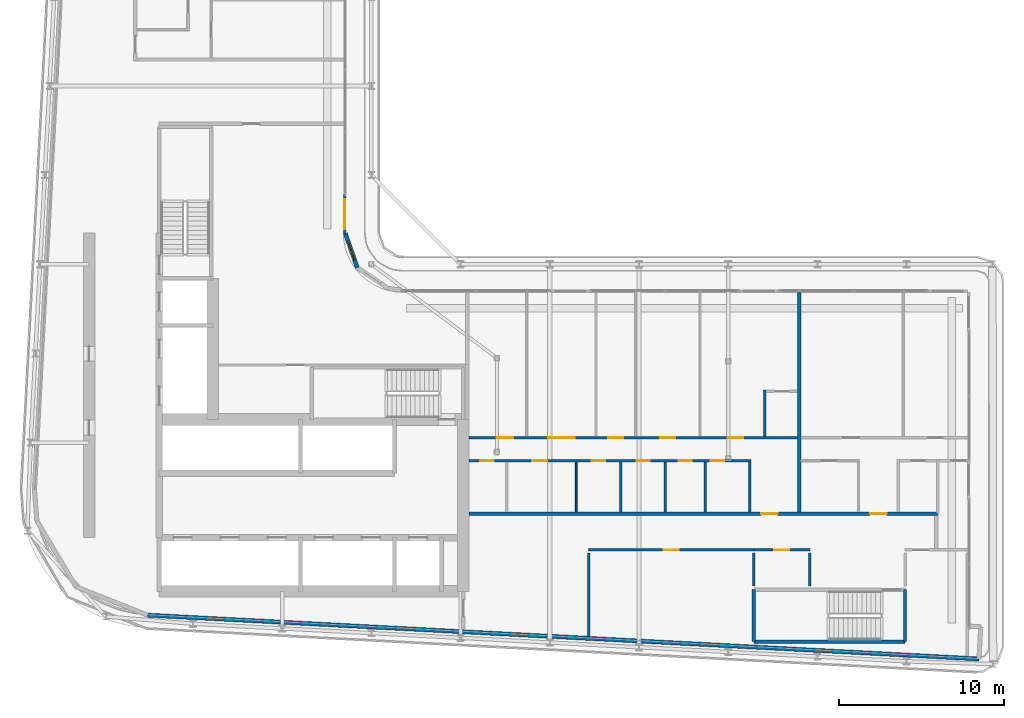
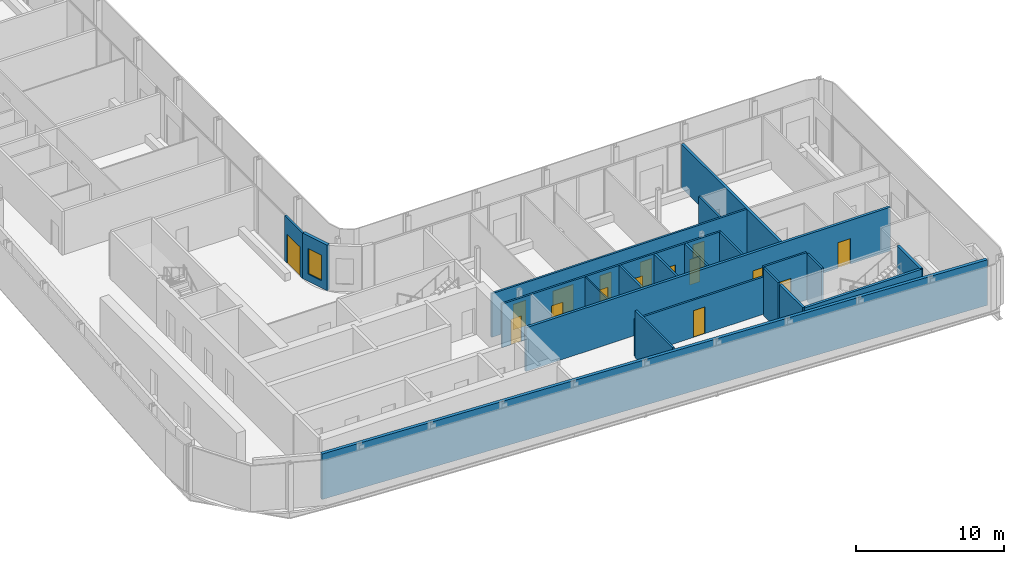
# One storey, part 11 of 21: 21 walls, 16 doors, 1 window, 17 openings.
"""IFC4 building model written with IfcOpenShell, lengths in metres."""

from ifc_helpers import new_model, si_unit, direction, frame, frame_2d, origin, place, context, subcontext, project, spatial, rectangle, extrude, source, transform, mapped, material, layer, layer_set, type_object, element, fill, save


model = new_model("IFC4")

# Units and contexts
model_context = context("Model", 3, precision=1e-05, world=origin(), true_north=direction((0.0, 1.0)))
body_context = subcontext(model_context, "Body", "Model", "MODEL_VIEW")
ifc_project = project(units=[si_unit("LENGTHUNIT", "METRE"), si_unit("AREAUNIT", "SQUARE_METRE"), si_unit("VOLUMEUNIT", "CUBIC_METRE"), si_unit("PLANEANGLEUNIT", "RADIAN"), si_unit("MASSUNIT", "GRAM", prefix="KILO")], contexts=[model_context])

# Site, building, storey
site_placement = place(None, origin())
site = spatial("IfcSite", under=ifc_project, at=site_placement, CompositionType="ELEMENT")
building_placement = place(site_placement, origin())
building = spatial("IfcBuilding", under=site, at=building_placement, Name="Kheshtan School and Residences Tower", CompositionType="ELEMENT")
storey_placement = place(building_placement, frame((0.0, 0.0, 224.0)))
storey = spatial("IfcBuildingStorey", under=building, at=storey_placement, Name="L52", CompositionType="ELEMENT", Elevation=224.0)

# Wall, openings, doors
ifc_material_1 = material(Name="Gypsum board on steel studs with fire boards", Category="steel")
ifc_layer_1 = layer(ifc_material_1, 0.199951171875)
ifc_layer_set_1 = layer_set([ifc_layer_1], Name="Corridor wall 200")
wall_type_1 = type_object("IfcWallType", Name="Corridor wall 200", PredefinedType="PARTITIONING", material=ifc_layer_set_1)
wall_1_placement = place(storey_placement, frame((53.4990234375, 30.5, 0.0), z_axis=(0.0, 0.0, 1.0), x_axis=(1.0, 0.0, 0.0)))
wall_1 = element("IfcWall", 1, at=wall_1_placement, inside=storey, type_object=wall_type_1, Name="Partition L52-022", PredefinedType="PARTITIONING", context=body_context, shape_type="SweptSolid", body=[
    extrude(rectangle(XDim=28.40087890625, YDim=0.199951171875, at=frame_2d((14.200439453125, 0.0))), origin(), (0.0, 0.0, 1.0), 3.60009765625),
])
opening_1_placement = place(wall_1_placement, frame((17.700927734375, 0.0, 0.0)))
opening_1 = element("IfcOpeningElement", 2, at=opening_1_placement, cuts=wall_1, Name="Opening D52-007", PredefinedType="OPENING", context=body_context, shape_type="SweptSolid", body=[
    extrude(rectangle(XDim=1.0, YDim=2.10009765625, at=frame_2d((0.5, 1.050048828125))), frame((0.0, 0.10986328125, 0.0), z_axis=(0.0, -1.0, 0.0), x_axis=(1.0, 0.0, 0.0)), (0.0, 0.0, 1.0), 0.219970703125),
])
opening_2_placement = place(wall_1_placement, frame((24.301025390625, 0.0, 0.0)))
opening_2 = element("IfcOpeningElement", 3, at=opening_2_placement, cuts=wall_1, Name="Opening D52-016", PredefinedType="OPENING", context=body_context, shape_type="SweptSolid", body=[
    extrude(rectangle(XDim=1.0, YDim=2.10009765625, at=frame_2d((0.5, 1.050048828125))), frame((0.0, 0.10986328125, 0.0), z_axis=(0.0, -1.0, 0.0), x_axis=(1.0, 0.0, 0.0)), (0.0, 0.0, 1.0), 0.219970703125),
])
ifc_material_2 = material(Name="Steel-framed fire-resisting door leaf", Category="steel")
door_type_1 = type_object("IfcDoorType", Name="Fire door FD30S 1000 x 2100", OperationType="SINGLE_SWING_LEFT", PredefinedType="DOOR", material=ifc_material_2)
shared_shape_1 = source(origin(), body_context, "Body", "SweptSolid", [
    extrude(rectangle(XDim=1.0, YDim=2.10009765625, at=frame_2d((0.5, 1.050048828125))), frame((0.0, 0.02490234375, 0.0), z_axis=(0.0, -1.0, 0.0), x_axis=(1.0, 0.0, 0.0)), (0.0, 0.0, 1.0), 0.050048828125),
])
door_1_placement = place(opening_1_placement, origin())
door_1 = element("IfcDoor", 4, at=door_1_placement, inside=storey, type_object=door_type_1, Name="Door D52-007", OperationType="SINGLE_SWING_LEFT", OverallHeight=2.10009765625, OverallWidth=1.0, PredefinedType="DOOR", context=body_context, shape_type="MappedRepresentation", body=[
    mapped(shared_shape_1, transform((0.0, 0.0, 0.0), x_axis=(1.0, 0.0, 0.0), y_axis=(0.0, 1.0, 0.0), z_axis=(0.0, 0.0, 1.0), scale=1.0)),
])
fill(opening_1, door_1)
door_2_placement = place(opening_2_placement, origin())
door_2 = element("IfcDoor", 5, at=door_2_placement, inside=storey, type_object=door_type_1, Name="Door D52-016", OperationType="SINGLE_SWING_LEFT", OverallHeight=2.10009765625, OverallWidth=1.0, PredefinedType="DOOR", context=body_context, shape_type="MappedRepresentation", body=[
    mapped(shared_shape_1, transform((0.0, 0.0, 0.0), x_axis=(1.0, 0.0, 0.0), y_axis=(0.0, 1.0, 0.0), z_axis=(0.0, 0.0, 1.0), scale=1.0)),
])
fill(opening_2, door_2)

# Wall, opening, window
ifc_material_3 = material(Name="Concrete C40/50 with ceramic cladding and mineral wool insulation", Category="concrete")
ifc_layer_2 = layer(ifc_material_3, 0.25)
ifc_layer_set_2 = layer_set([ifc_layer_2], Name="External wall 250 ceramic clad")
wall_type_2 = type_object("IfcWallType", Name="External wall 250 ceramic clad", PredefinedType="SOLIDWALL", material=ifc_layer_set_2)
wall_2_placement = place(storey_placement, frame((46.01806640625, 47.470947265625, 0.0), z_axis=(0.0, 0.0, 1.0), x_axis=(0.328791208903, -0.944402637093, 0.0)))
wall_2 = element("IfcWall", 6, at=wall_2_placement, inside=storey, type_object=wall_type_2, Name="External wall L52 5", PredefinedType="SOLIDWALL", context=body_context, shape_type="SweptSolid", body=[
    extrude(rectangle(XDim=2.20458984375, YDim=0.25, at=frame_2d((1.102294921875, 0.0))), origin(), (0.0, 0.0, 1.0), 3.75),
])
opening_3_placement = place(wall_2_placement, frame((0.5029296875, 0.0, 0.60009765625)))
opening_3 = element("IfcOpeningElement", 7, at=opening_3_placement, cuts=wall_2, Name="Opening WN-E", PredefinedType="OPENING", context=body_context, shape_type="SweptSolid", body=[
    extrude(rectangle(XDim=1.199951171875, YDim=2.10009765625, at=frame_2d((0.60009765625, 1.050048828125))), frame((0.0, 0.135009765625, 0.0), z_axis=(0.0, -1.0, 0.0), x_axis=(1.0, 0.0, 0.0)), (0.0, 0.0, 1.0), 0.27001953125),
])
ifc_material_4 = material(Name="Clear low-e glass in thermally broken aluminium frame", Category="aluminium")
window_type = type_object("IfcWindowType", Name="Window WN-E", PartitioningType="SINGLE_PANEL", PredefinedType="WINDOW", material=ifc_material_4)
shared_shape_2 = source(origin(), body_context, "Body", "SweptSolid", [
    extrude(rectangle(XDim=1.199951171875, YDim=2.10009765625, at=frame_2d((0.60009765625, 1.050048828125))), frame((0.0, 0.030029296875, 0.0), z_axis=(0.0, -1.0, 0.0), x_axis=(1.0, 0.0, 0.0)), (0.0, 0.0, 1.0), 0.06005859375),
])
window_placement = place(opening_3_placement, origin())
window = element("IfcWindow", 8, at=window_placement, inside=storey, type_object=window_type, Name="Window L52 5", OverallHeight=2.10009765625, OverallWidth=1.199951171875, PartitioningType="SINGLE_PANEL", PredefinedType="WINDOW", context=body_context, shape_type="MappedRepresentation", body=[
    mapped(shared_shape_2, transform((0.0, 0.0, 0.0), x_axis=(1.0, 0.0, 0.0), y_axis=(0.0, 1.0, 0.0), z_axis=(0.0, 0.0, 1.0), scale=1.0)),
])
fill(opening_3, window)

# Wall
wall_3_placement = place(storey_placement, frame((84.385986328125, 21.702880859375, 0.0), z_axis=(0.0, 0.0, 1.0), x_axis=(-0.998617508267, 0.05256493302, 0.0)))
element("IfcWall", 9, at=wall_3_placement, inside=storey, type_object=wall_type_2, Name="External wall L52 12", PredefinedType="SOLIDWALL", context=body_context, shape_type="SweptSolid", body=[
    extrude(rectangle(XDim=50.41650390625, YDim=0.25, at=frame_2d((25.208251953125, 0.0))), origin(), (0.0, 0.0, 1.0), 3.75),
])

# Wall, opening, door
ifc_material_5 = material(Name="Aluminium frame wall with insulated infill", Category="aluminium")
ifc_layer_3 = layer(ifc_material_5, 0.14990234375)
ifc_layer_set_3 = layer_set([ifc_layer_3], Name="Glazing frame wall 150")
wall_type_3 = type_object("IfcWallType", Name="Glazing frame wall 150", PredefinedType="SOLIDWALL", material=ifc_layer_set_3)
wall_4_placement = place(storey_placement, frame((45.97509765625, 49.830078125, 0.0), z_axis=(0.0, 0.0, 1.0), x_axis=(0.0, -1.0, 0.0)))
wall_4 = element("IfcWall", 10, at=wall_4_placement, inside=storey, type_object=wall_type_3, Name="Balcony door wall L52 4.4", PredefinedType="SOLIDWALL", context=body_context, shape_type="SweptSolid", body=[
    extrude(rectangle(XDim=2.400146484375, YDim=0.14990234375, at=frame_2d((1.2001953125, 0.0))), origin(), (0.0, 0.0, 1.0), 3.75),
])
opening_4_placement = place(wall_4_placement, frame((0.300048828125, 0.0, 0.0)))
opening_4 = element("IfcOpeningElement", 11, at=opening_4_placement, cuts=wall_4, Name="Opening BD", PredefinedType="OPENING", context=body_context, shape_type="SweptSolid", body=[
    extrude(rectangle(XDim=1.800048828125, YDim=2.39990234375, at=frame_2d((0.89990234375, 1.199951171875))), frame((0.0, 0.0849609375, 0.0), z_axis=(0.0, -1.0, 0.0), x_axis=(1.0, 0.0, 0.0)), (0.0, 0.0, 1.0), 0.169921875),
])
door_type_2 = type_object("IfcDoorType", Name="Balcony sliding door", OperationType="SLIDING_TO_LEFT", PredefinedType="DOOR", material=ifc_material_4)
shared_shape_3 = source(origin(), body_context, "Body", "SweptSolid", [
    extrude(rectangle(XDim=1.800048828125, YDim=2.39990234375, at=frame_2d((0.89990234375, 1.199951171875))), frame((0.0, 0.02490234375, 0.0), z_axis=(0.0, -1.0, 0.0), x_axis=(1.0, 0.0, 0.0)), (0.0, 0.0, 1.0), 0.050048828125),
])
door_3_placement = place(opening_4_placement, origin())
door_3 = element("IfcDoor", 12, at=door_3_placement, inside=storey, type_object=door_type_2, Name="Balcony door L52 4.4", OperationType="SLIDING_TO_LEFT", OverallHeight=2.39990234375, OverallWidth=1.800048828125, PredefinedType="DOOR", context=body_context, shape_type="MappedRepresentation", body=[
    mapped(shared_shape_3, transform((0.0, 0.0, 0.0), x_axis=(1.0, 0.0, 0.0), y_axis=(0.0, 1.0, 0.0), z_axis=(0.0, 0.0, 1.0), scale=1.0)),
])
fill(opening_4, door_3)

# Wall
ifc_material_6 = material(Name="Gypsum board on steel studs", Category="steel")
ifc_layer_4 = layer(ifc_material_6, 0.10009765625)
ifc_layer_set_4 = layer_set([ifc_layer_4], Name="Gypsum partition 100")
wall_type_4 = type_object("IfcWallType", Name="Gypsum partition 100", PredefinedType="PARTITIONING", material=ifc_layer_set_4)
wall_5_placement = place(storey_placement, frame((60.0, 30.60009765625, 0.0), z_axis=(0.0, 0.0, 1.0), x_axis=(0.0, 1.0, 0.0)))
element("IfcWall", 13, at=wall_5_placement, inside=storey, type_object=wall_type_4, Name="Partition L52-027", PredefinedType="PARTITIONING", context=body_context, shape_type="SweptSolid", body=[
    extrude(rectangle(XDim=3.02490234375, YDim=0.10009765625, at=frame_2d((1.512451171875, 0.0))), origin(), (0.0, 0.0, 1.0), 3.60009765625),
])

# Wall, opening, door
ifc_material_7 = material(Name="Fire-board shaft wall system")
ifc_layer_5 = layer(ifc_material_7, 0.14990234375)
ifc_layer_set_5 = layer_set([ifc_layer_5], Name="Service room wall 150")
wall_type_5 = type_object("IfcWallType", Name="Service room wall 150", PredefinedType="PARTITIONING", material=ifc_layer_set_5)
wall_6_placement = place(storey_placement, frame((60.75, 28.300048828125, 0.0), z_axis=(0.0, 0.0, 1.0), x_axis=(1.0, 0.0, 0.0)))
wall_6 = element("IfcWall", 14, at=wall_6_placement, inside=storey, type_object=wall_type_5, Name="Service room wall", PredefinedType="PARTITIONING", context=body_context, shape_type="SweptSolid", body=[
    extrude(rectangle(XDim=10.0, YDim=0.14990234375, at=frame_2d((5.0, 0.0))), origin(), (0.0, 0.0, 1.0), 3.072021484375),
])
opening_5_placement = place(wall_6_placement, frame((4.550048828125, 0.0, 0.0)))
opening_5 = element("IfcOpeningElement", 15, at=opening_5_placement, cuts=wall_6, Name="Opening SR90", PredefinedType="OPENING", context=body_context, shape_type="SweptSolid", body=[
    extrude(rectangle(XDim=0.89990234375, YDim=2.199951171875, at=frame_2d((0.449951171875, 1.10009765625))), frame((0.0, 0.0849609375, 0.0), z_axis=(0.0, -1.0, 0.0), x_axis=(1.0, 0.0, 0.0)), (0.0, 0.0, 1.0), 0.169921875),
])
ifc_material_8 = material(Name="Steel door leaf, galvanised", Category="steel")
door_type_3 = type_object("IfcDoorType", Name="Service room door 900 steel 90 min", OperationType="SINGLE_SWING_LEFT", PredefinedType="DOOR", material=ifc_material_8)
shared_shape_4 = source(origin(), body_context, "Body", "SweptSolid", [
    extrude(rectangle(XDim=0.89990234375, YDim=2.199951171875, at=frame_2d((0.449951171875, 1.10009765625))), frame((0.0, 0.02490234375, 0.0), z_axis=(0.0, -1.0, 0.0), x_axis=(1.0, 0.0, 0.0)), (0.0, 0.0, 1.0), 0.050048828125),
])
door_4_placement = place(opening_5_placement, origin())
door_4 = element("IfcDoor", 16, at=door_4_placement, inside=storey, type_object=door_type_3, Name="Service room door", OperationType="SINGLE_SWING_LEFT", OverallHeight=2.199951171875, OverallWidth=0.89990234375, PredefinedType="DOOR", context=body_context, shape_type="MappedRepresentation", body=[
    mapped(shared_shape_4, transform((0.0, 0.0, 0.0), x_axis=(1.0, 0.0, 0.0), y_axis=(0.0, 1.0, 0.0), z_axis=(0.0, 0.0, 1.0), scale=1.0)),
])
fill(opening_5, door_4)

# Walls
wall_7_placement = place(storey_placement, frame((60.75, 23.074951171875, 0.0), z_axis=(0.0, 0.0, 1.0), x_axis=(0.0, 1.0, 0.0)))
element("IfcWall", 17, at=wall_7_placement, inside=storey, type_object=wall_type_5, Name="Service room wall", PredefinedType="PARTITIONING", context=body_context, shape_type="SweptSolid", body=[
    extrude(rectangle(XDim=5.030029296875, YDim=0.14990234375, at=frame_2d((2.51513671875, 0.0))), origin(), (0.0, 0.0, 1.0), 3.89990234375),
])
wall_8_placement = place(storey_placement, frame((70.75, 26.1201171875, 0.0), z_axis=(0.0, 0.0, 1.0), x_axis=(0.0, 1.0, 0.0)))
element("IfcWall", 18, at=wall_8_placement, inside=storey, type_object=wall_type_5, Name="Service room wall", PredefinedType="PARTITIONING", context=body_context, shape_type="SweptSolid", body=[
    extrude(rectangle(XDim=1.98486328125, YDim=0.14990234375, at=frame_2d((0.992431640625, 0.0))), origin(), (0.0, 0.0, 1.0), 3.89990234375),
])

# Wall, opening, door
wall_9_placement = place(storey_placement, frame((70.75, 28.300048828125, 0.0), z_axis=(0.0, 0.0, 1.0), x_axis=(1.0, 0.0, 0.0)))
wall_9 = element("IfcWall", 19, at=wall_9_placement, inside=storey, type_object=wall_type_5, Name="Service room wall", PredefinedType="PARTITIONING", context=body_context, shape_type="SweptSolid", body=[
    extrude(rectangle(XDim=3.39404296875, YDim=0.14990234375, at=frame_2d((1.697021484375, 0.0))), origin(), (0.0, 0.0, 1.0), 3.89990234375),
])
opening_6_placement = place(wall_9_placement, frame((1.2470703125, 0.0, 0.0)))
opening_6 = element("IfcOpeningElement", 20, at=opening_6_placement, cuts=wall_9, Name="Opening SR90", PredefinedType="OPENING", context=body_context, shape_type="SweptSolid", body=[
    extrude(rectangle(XDim=0.89990234375, YDim=2.199951171875, at=frame_2d((0.449951171875, 1.10009765625))), frame((0.0, 0.0849609375, 0.0), z_axis=(0.0, -1.0, 0.0), x_axis=(1.0, 0.0, 0.0)), (0.0, 0.0, 1.0), 0.169921875),
])
door_5_placement = place(opening_6_placement, origin())
door_5 = element("IfcDoor", 21, at=door_5_placement, inside=storey, type_object=door_type_3, Name="Service room door", OperationType="SINGLE_SWING_LEFT", OverallHeight=2.199951171875, OverallWidth=0.89990234375, PredefinedType="DOOR", context=body_context, shape_type="MappedRepresentation", body=[
    mapped(shared_shape_4, transform((0.0, 0.0, 0.0), x_axis=(1.0, 0.0, 0.0), y_axis=(0.0, 1.0, 0.0), z_axis=(0.0, 0.0, 1.0), scale=1.0)),
])
fill(opening_6, door_5)

# Walls
wall_10_placement = place(storey_placement, frame((74.14404296875, 26.1201171875, 0.0), z_axis=(0.0, 0.0, 1.0), x_axis=(0.0, 1.0, 0.0)))
element("IfcWall", 22, at=wall_10_placement, inside=storey, type_object=wall_type_5, Name="Service room wall", PredefinedType="PARTITIONING", context=body_context, shape_type="SweptSolid", body=[
    extrude(rectangle(XDim=1.98486328125, YDim=0.14990234375, at=frame_2d((0.992431640625, 0.0))), origin(), (0.0, 0.0, 1.0), 3.89990234375),
])
ifc_material_9 = material(Name="Concrete C40/50", Category="concrete")
ifc_layer_6 = layer(ifc_material_9, 0.199951171875)
ifc_layer_set_6 = layer_set([ifc_layer_6], Name="Stair enclosure wall 200 Concrete C40/50")
wall_type_6 = type_object("IfcWallType", Name="Stair enclosure wall 200 Concrete C40/50", PredefinedType="SHEAR", material=ifc_layer_set_6)
wall_11_placement = place(storey_placement, frame((70.75, 22.75, 0.0), z_axis=(0.0, 0.0, 1.0), x_axis=(1.0, 0.0, 0.0)))
element("IfcWall", 23, at=wall_11_placement, inside=storey, type_object=wall_type_6, Name="Stair enclosure wall ST5", PredefinedType="SHEAR", context=body_context, shape_type="SweptSolid", body=[
    extrude(rectangle(XDim=9.159912109375, YDim=0.199951171875, at=frame_2d((4.580078125, 0.0))), origin(), (0.0, 0.0, 1.0), 3.89990234375),
])
for number, where, z_axis, x_axis, name in (
    (24, (70.75, 22.75, 0.0), (0.0, 0.0, 1.0), (0.0, 1.0, 0.0), "Stair enclosure wall ST5"),
    (25, (79.909912109375, 22.75, 0.0), (0.0, 0.0, 1.0), (0.0, 1.0, 0.0), "Stair enclosure wall ST5"),
):
    element("IfcWall", number, at=place(storey_placement, frame(where, z_axis=z_axis, x_axis=x_axis)), inside=storey, type_object=wall_type_6, Name=name, PredefinedType="SHEAR", context=body_context, shape_type="SweptSolid", body=[
        extrude(rectangle(XDim=3.14990234375, YDim=0.199951171875, at=frame_2d((1.574951171875, 0.0))), origin(), (0.0, 0.0, 1.0), 3.89990234375),
    ])
ifc_material_10 = material(Name="Twin gypsum board on steel studs with mineral wool", Category="steel")
ifc_layer_7 = layer(ifc_material_10, 0.199951171875)
ifc_layer_set_7 = layer_set([ifc_layer_7], Name="Unit demising wall 200")
wall_type_7 = type_object("IfcWallType", Name="Unit demising wall 200", PredefinedType="PARTITIONING", material=ifc_layer_set_7)
wall_12_placement = place(storey_placement, frame((73.5, 30.60009765625, 0.0), z_axis=(0.0, 0.0, 1.0), x_axis=(0.0, 1.0, 0.0)))
element("IfcWall", 26, at=wall_12_placement, inside=storey, type_object=wall_type_7, Name="Partition L52-037", PredefinedType="PARTITIONING", context=body_context, shape_type="SweptSolid", body=[
    extrude(rectangle(XDim=13.2998046875, YDim=0.199951171875, at=frame_2d((6.64990234375, 0.0))), origin(), (0.0, 0.0, 1.0), 3.60009765625),
])

# Wall, openings, doors
ifc_material_11 = material(Name="Moisture-resistant gypsum board on steel studs", Category="steel")
ifc_layer_8 = layer(ifc_material_11, 0.14990234375)
ifc_layer_set_8 = layer_set([ifc_layer_8], Name="Wet-room partition 150")
wall_type_8 = type_object("IfcWallType", Name="Wet-room partition 150", PredefinedType="PARTITIONING", material=ifc_layer_set_8)
wall_13_placement = place(storey_placement, frame((53.4990234375, 33.699951171875, 0.0), z_axis=(0.0, 0.0, 1.0), x_axis=(1.0, 0.0, 0.0)))
wall_13 = element("IfcWall", 27, at=wall_13_placement, inside=storey, type_object=wall_type_8, Name="Partition L52-023", PredefinedType="PARTITIONING", context=body_context, shape_type="SweptSolid", body=[
    extrude(rectangle(XDim=17.075927734375, YDim=0.14990234375, at=frame_2d((8.5380859375, 0.0))), origin(), (0.0, 0.0, 1.0), 3.60009765625),
])
opening_7_placement = place(wall_13_placement, frame((10.15087890625, 0.0, 0.0)))
opening_7 = element("IfcOpeningElement", 28, at=opening_7_placement, cuts=wall_13, Name="Opening D52-001", PredefinedType="OPENING", context=body_context, shape_type="SweptSolid", body=[
    extrude(rectangle(XDim=0.800048828125, YDim=2.10009765625, at=frame_2d((0.39990234375, 1.050048828125))), frame((0.0, 0.0849609375, 0.0), z_axis=(0.0, -1.0, 0.0), x_axis=(1.0, 0.0, 0.0)), (0.0, 0.0, 1.0), 0.169921875),
])
opening_8_placement = place(wall_13_placement, frame((14.65087890625, 0.0, 0.0)))
opening_8 = element("IfcOpeningElement", 29, at=opening_8_placement, cuts=wall_13, Name="Opening D52-002", PredefinedType="OPENING", context=body_context, shape_type="SweptSolid", body=[
    extrude(rectangle(XDim=0.800048828125, YDim=2.10009765625, at=frame_2d((0.39990234375, 1.050048828125))), frame((0.0, 0.0849609375, 0.0), z_axis=(0.0, -1.0, 0.0), x_axis=(1.0, 0.0, 0.0)), (0.0, 0.0, 1.0), 0.169921875),
])
opening_9_placement = place(wall_13_placement, frame((7.450927734375, 0.0, 0.0)))
opening_9 = element("IfcOpeningElement", 30, at=opening_9_placement, cuts=wall_13, Name="Opening D52-005", PredefinedType="OPENING", context=body_context, shape_type="SweptSolid", body=[
    extrude(rectangle(XDim=0.800048828125, YDim=2.10009765625, at=frame_2d((0.39990234375, 1.050048828125))), frame((0.0, 0.0849609375, 0.0), z_axis=(0.0, -1.0, 0.0), x_axis=(1.0, 0.0, 0.0)), (0.0, 0.0, 1.0), 0.169921875),
])
opening_10_placement = place(wall_13_placement, frame((3.85107421875, 0.0, 0.0)))
opening_10 = element("IfcOpeningElement", 31, at=opening_10_placement, cuts=wall_13, Name="Opening D52-008", PredefinedType="OPENING", context=body_context, shape_type="SweptSolid", body=[
    extrude(rectangle(XDim=0.89990234375, YDim=2.10009765625, at=frame_2d((0.449951171875, 1.050048828125))), frame((0.0, 0.0849609375, 0.0), z_axis=(0.0, -1.0, 0.0), x_axis=(1.0, 0.0, 0.0)), (0.0, 0.0, 1.0), 0.169921875),
])
opening_11_placement = place(wall_13_placement, frame((0.700927734375, 0.0, 0.0)))
opening_11 = element("IfcOpeningElement", 32, at=opening_11_placement, cuts=wall_13, Name="Opening D52-009", PredefinedType="OPENING", context=body_context, shape_type="SweptSolid", body=[
    extrude(rectangle(XDim=0.800048828125, YDim=2.10009765625, at=frame_2d((0.39990234375, 1.050048828125))), frame((0.0, 0.0849609375, 0.0), z_axis=(0.0, -1.0, 0.0), x_axis=(1.0, 0.0, 0.0)), (0.0, 0.0, 1.0), 0.169921875),
])
opening_12_placement = place(wall_13_placement, frame((12.700927734375, 0.0, 0.0)))
opening_12 = element("IfcOpeningElement", 33, at=opening_12_placement, cuts=wall_13, Name="Opening D52-013", PredefinedType="OPENING", context=body_context, shape_type="SweptSolid", body=[
    extrude(rectangle(XDim=0.800048828125, YDim=2.10009765625, at=frame_2d((0.39990234375, 1.050048828125))), frame((0.0, 0.0849609375, 0.0), z_axis=(0.0, -1.0, 0.0), x_axis=(1.0, 0.0, 0.0)), (0.0, 0.0, 1.0), 0.169921875),
])
ifc_material_12 = material(Name="Veneered timber door leaf", Category="wood")
door_type_4 = type_object("IfcDoorType", Name="Door 800 x 2100", OperationType="SINGLE_SWING_LEFT", PredefinedType="DOOR", material=ifc_material_12)
shared_shape_5 = source(origin(), body_context, "Body", "SweptSolid", [
    extrude(rectangle(XDim=0.800048828125, YDim=2.10009765625, at=frame_2d((0.39990234375, 1.050048828125))), frame((0.0, 0.02490234375, 0.0), z_axis=(0.0, -1.0, 0.0), x_axis=(1.0, 0.0, 0.0)), (0.0, 0.0, 1.0), 0.050048828125),
])
door_6_placement = place(opening_7_placement, origin())
door_6 = element("IfcDoor", 34, at=door_6_placement, inside=storey, type_object=door_type_4, Name="Door D52-001", OperationType="SINGLE_SWING_LEFT", OverallHeight=2.10009765625, OverallWidth=0.800048828125, PredefinedType="DOOR", context=body_context, shape_type="MappedRepresentation", body=[
    mapped(shared_shape_5, transform((0.0, 0.0, 0.0), x_axis=(1.0, 0.0, 0.0), y_axis=(0.0, 1.0, 0.0), z_axis=(0.0, 0.0, 1.0), scale=1.0)),
])
fill(opening_7, door_6)
door_7_placement = place(opening_8_placement, origin())
door_7 = element("IfcDoor", 35, at=door_7_placement, inside=storey, type_object=door_type_4, Name="Door D52-002", OperationType="SINGLE_SWING_RIGHT", OverallHeight=2.10009765625, OverallWidth=0.800048828125, PredefinedType="DOOR", context=body_context, shape_type="MappedRepresentation", body=[
    mapped(shared_shape_5, transform((0.0, 0.0, 0.0), x_axis=(1.0, 0.0, 0.0), y_axis=(0.0, 1.0, 0.0), z_axis=(0.0, 0.0, 1.0), scale=1.0)),
])
fill(opening_8, door_7)
door_8_placement = place(opening_9_placement, origin())
door_8 = element("IfcDoor", 36, at=door_8_placement, inside=storey, type_object=door_type_4, Name="Door D52-005", OperationType="SINGLE_SWING_RIGHT", OverallHeight=2.10009765625, OverallWidth=0.800048828125, PredefinedType="DOOR", context=body_context, shape_type="MappedRepresentation", body=[
    mapped(shared_shape_5, transform((0.0, 0.0, 0.0), x_axis=(1.0, 0.0, 0.0), y_axis=(0.0, 1.0, 0.0), z_axis=(0.0, 0.0, 1.0), scale=1.0)),
])
fill(opening_9, door_8)
door_9_placement = place(opening_11_placement, origin())
door_9 = element("IfcDoor", 37, at=door_9_placement, inside=storey, type_object=door_type_4, Name="Door D52-009", OperationType="SINGLE_SWING_RIGHT", OverallHeight=2.10009765625, OverallWidth=0.800048828125, PredefinedType="DOOR", context=body_context, shape_type="MappedRepresentation", body=[
    mapped(shared_shape_5, transform((0.0, 0.0, 0.0), x_axis=(1.0, 0.0, 0.0), y_axis=(0.0, 1.0, 0.0), z_axis=(0.0, 0.0, 1.0), scale=1.0)),
])
fill(opening_11, door_9)
door_10_placement = place(opening_12_placement, origin())
door_10 = element("IfcDoor", 38, at=door_10_placement, inside=storey, type_object=door_type_4, Name="Door D52-013", OperationType="SINGLE_SWING_RIGHT", OverallHeight=2.10009765625, OverallWidth=0.800048828125, PredefinedType="DOOR", context=body_context, shape_type="MappedRepresentation", body=[
    mapped(shared_shape_5, transform((0.0, 0.0, 0.0), x_axis=(1.0, 0.0, 0.0), y_axis=(0.0, 1.0, 0.0), z_axis=(0.0, 0.0, 1.0), scale=1.0)),
])
fill(opening_12, door_10)
door_type_5 = type_object("IfcDoorType", Name="Door 900 x 2100", OperationType="SINGLE_SWING_LEFT", PredefinedType="DOOR", material=ifc_material_12)
shared_shape_6 = source(origin(), body_context, "Body", "SweptSolid", [
    extrude(rectangle(XDim=0.89990234375, YDim=2.10009765625, at=frame_2d((0.449951171875, 1.050048828125))), frame((0.0, 0.02490234375, 0.0), z_axis=(0.0, -1.0, 0.0), x_axis=(1.0, 0.0, 0.0)), (0.0, 0.0, 1.0), 0.050048828125),
])
door_11_placement = place(opening_10_placement, origin())
door_11 = element("IfcDoor", 39, at=door_11_placement, inside=storey, type_object=door_type_5, Name="Door D52-008", OperationType="SINGLE_SWING_RIGHT", OverallHeight=2.10009765625, OverallWidth=0.89990234375, PredefinedType="DOOR", context=body_context, shape_type="MappedRepresentation", body=[
    mapped(shared_shape_6, transform((0.0, 0.0, 0.0), x_axis=(1.0, 0.0, 0.0), y_axis=(0.0, 1.0, 0.0), z_axis=(0.0, 0.0, 1.0), scale=1.0)),
])
fill(opening_10, door_11)

wall_14_placement = place(storey_placement, frame((53.4990234375, 35.10009765625, 0.0), z_axis=(0.0, 0.0, 1.0), x_axis=(1.0, 0.0, 0.0)))
wall_14 = element("IfcWall", 40, at=wall_14_placement, inside=storey, type_object=wall_type_8, Name="Partition L52-024", PredefinedType="PARTITIONING", context=body_context, shape_type="SweptSolid", body=[
    extrude(rectangle(XDim=19.90087890625, YDim=0.14990234375, at=frame_2d((9.950439453125, 0.0))), origin(), (0.0, 0.0, 1.0), 3.60009765625),
])
opening_13_placement = place(wall_14_placement, frame((8.450927734375, 0.0, 0.0)))
opening_13 = element("IfcOpeningElement", 41, at=opening_13_placement, cuts=wall_14, Name="Opening D52-003", PredefinedType="OPENING", context=body_context, shape_type="SweptSolid", body=[
    extrude(rectangle(XDim=0.89990234375, YDim=2.10009765625, at=frame_2d((0.449951171875, 1.050048828125))), frame((0.0, 0.0849609375, 0.0), z_axis=(0.0, -1.0, 0.0), x_axis=(1.0, 0.0, 0.0)), (0.0, 0.0, 1.0), 0.169921875),
])
opening_14_placement = place(wall_14_placement, frame((11.60107421875, 0.0, 0.0)))
opening_14 = element("IfcOpeningElement", 42, at=opening_14_placement, cuts=wall_14, Name="Opening D52-004", PredefinedType="OPENING", context=body_context, shape_type="SweptSolid", body=[
    extrude(rectangle(XDim=0.89990234375, YDim=2.10009765625, at=frame_2d((0.449951171875, 1.050048828125))), frame((0.0, 0.0849609375, 0.0), z_axis=(0.0, -1.0, 0.0), x_axis=(1.0, 0.0, 0.0)), (0.0, 0.0, 1.0), 0.169921875),
])
opening_15_placement = place(wall_14_placement, frame((1.700927734375, 0.0, 0.0)))
opening_15 = element("IfcOpeningElement", 43, at=opening_15_placement, cuts=wall_14, Name="Opening D52-010", PredefinedType="OPENING", context=body_context, shape_type="SweptSolid", body=[
    extrude(rectangle(XDim=1.0, YDim=2.10009765625, at=frame_2d((0.5, 1.050048828125))), frame((0.0, 0.0849609375, 0.0), z_axis=(0.0, -1.0, 0.0), x_axis=(1.0, 0.0, 0.0)), (0.0, 0.0, 1.0), 0.169921875),
])
opening_16_placement = place(wall_14_placement, frame((4.801025390625, 0.0, 0.0)))
opening_16 = element("IfcOpeningElement", 44, at=opening_16_placement, cuts=wall_14, Name="Opening D52-011", PredefinedType="OPENING", context=body_context, shape_type="SweptSolid", body=[
    extrude(rectangle(XDim=1.60009765625, YDim=2.10009765625, at=frame_2d((0.800048828125, 1.050048828125))), frame((0.0, 0.0849609375, 0.0), z_axis=(0.0, -1.0, 0.0), x_axis=(1.0, 0.0, 0.0)), (0.0, 0.0, 1.0), 0.169921875),
])
opening_17_placement = place(wall_14_placement, frame((15.700927734375, 0.0, 0.0)))
opening_17 = element("IfcOpeningElement", 45, at=opening_17_placement, cuts=wall_14, Name="Opening D52-012", PredefinedType="OPENING", context=body_context, shape_type="SweptSolid", body=[
    extrude(rectangle(XDim=0.89990234375, YDim=2.10009765625, at=frame_2d((0.449951171875, 1.050048828125))), frame((0.0, 0.0849609375, 0.0), z_axis=(0.0, -1.0, 0.0), x_axis=(1.0, 0.0, 0.0)), (0.0, 0.0, 1.0), 0.169921875),
])
door_type_6 = type_object("IfcDoorType", Name="Door 1000 x 2100", OperationType="SINGLE_SWING_LEFT", PredefinedType="DOOR", material=ifc_material_12)
shared_shape_7 = source(origin(), body_context, "Body", "SweptSolid", [
    extrude(rectangle(XDim=1.0, YDim=2.10009765625, at=frame_2d((0.5, 1.050048828125))), frame((0.0, 0.02490234375, 0.0), z_axis=(0.0, -1.0, 0.0), x_axis=(1.0, 0.0, 0.0)), (0.0, 0.0, 1.0), 0.050048828125),
])
door_12_placement = place(opening_15_placement, origin())
door_12 = element("IfcDoor", 46, at=door_12_placement, inside=storey, type_object=door_type_6, Name="Door D52-010", OperationType="SINGLE_SWING_RIGHT", OverallHeight=2.10009765625, OverallWidth=1.0, PredefinedType="DOOR", context=body_context, shape_type="MappedRepresentation", body=[
    mapped(shared_shape_7, transform((0.0, 0.0, 0.0), x_axis=(1.0, 0.0, 0.0), y_axis=(0.0, 1.0, 0.0), z_axis=(0.0, 0.0, 1.0), scale=1.0)),
])
fill(opening_15, door_12)
door_13_placement = place(opening_13_placement, origin())
door_13 = element("IfcDoor", 47, at=door_13_placement, inside=storey, type_object=door_type_5, Name="Door D52-003", OperationType="SINGLE_SWING_LEFT", OverallHeight=2.10009765625, OverallWidth=0.89990234375, PredefinedType="DOOR", context=body_context, shape_type="MappedRepresentation", body=[
    mapped(shared_shape_6, transform((0.0, 0.0, 0.0), x_axis=(1.0, 0.0, 0.0), y_axis=(0.0, 1.0, 0.0), z_axis=(0.0, 0.0, 1.0), scale=1.0)),
])
fill(opening_13, door_13)
door_14_placement = place(opening_14_placement, origin())
door_14 = element("IfcDoor", 48, at=door_14_placement, inside=storey, type_object=door_type_5, Name="Door D52-004", OperationType="SINGLE_SWING_RIGHT", OverallHeight=2.10009765625, OverallWidth=0.89990234375, PredefinedType="DOOR", context=body_context, shape_type="MappedRepresentation", body=[
    mapped(shared_shape_6, transform((0.0, 0.0, 0.0), x_axis=(1.0, 0.0, 0.0), y_axis=(0.0, 1.0, 0.0), z_axis=(0.0, 0.0, 1.0), scale=1.0)),
])
fill(opening_14, door_14)
door_15_placement = place(opening_17_placement, origin())
door_15 = element("IfcDoor", 49, at=door_15_placement, inside=storey, type_object=door_type_5, Name="Door D52-012", OperationType="SINGLE_SWING_RIGHT", OverallHeight=2.10009765625, OverallWidth=0.89990234375, PredefinedType="DOOR", context=body_context, shape_type="MappedRepresentation", body=[
    mapped(shared_shape_6, transform((0.0, 0.0, 0.0), x_axis=(1.0, 0.0, 0.0), y_axis=(0.0, 1.0, 0.0), z_axis=(0.0, 0.0, 1.0), scale=1.0)),
])
fill(opening_17, door_15)
door_type_7 = type_object("IfcDoorType", Name="Double door 1600 x 2100", OperationType="DOUBLE_DOOR_SINGLE_SWING", PredefinedType="DOOR", material=ifc_material_12)
shared_shape_8 = source(origin(), body_context, "Body", "SweptSolid", [
    extrude(rectangle(XDim=1.60009765625, YDim=2.10009765625, at=frame_2d((0.800048828125, 1.050048828125))), frame((0.0, 0.02490234375, 0.0), z_axis=(0.0, -1.0, 0.0), x_axis=(1.0, 0.0, 0.0)), (0.0, 0.0, 1.0), 0.050048828125),
])
door_16_placement = place(opening_16_placement, origin())
door_16 = element("IfcDoor", 50, at=door_16_placement, inside=storey, type_object=door_type_7, Name="Door D52-011", OperationType="DOUBLE_DOOR_SINGLE_SWING", OverallHeight=2.10009765625, OverallWidth=1.60009765625, PredefinedType="DOOR", context=body_context, shape_type="MappedRepresentation", body=[
    mapped(shared_shape_8, transform((0.0, 0.0, 0.0), x_axis=(1.0, 0.0, 0.0), y_axis=(0.0, 1.0, 0.0), z_axis=(0.0, 0.0, 1.0), scale=1.0)),
])
fill(opening_16, door_16)

# Walls
for number, where, z_axis, x_axis, name in (
    (51, (62.699951171875, 30.60009765625, 0.0), (0.0, 0.0, 1.0), (0.0, 1.0, 0.0), "Partition L52-029"),
    (52, (65.39990234375, 30.60009765625, 0.0), (0.0, 0.0, 1.0), (0.0, 1.0, 0.0), "Partition L52-031"),
    (53, (67.800048828125, 30.60009765625, 0.0), (0.0, 0.0, 1.0), (0.0, 1.0, 0.0), "Partition L52-033"),
    (54, (70.5, 30.60009765625, 0.0), (0.0, 0.0, 1.0), (0.0, 1.0, 0.0), "Partition L52-034"),
):
    element("IfcWall", number, at=place(storey_placement, frame(where, z_axis=z_axis, x_axis=x_axis)), inside=storey, type_object=wall_type_8, Name=name, PredefinedType="PARTITIONING", context=body_context, shape_type="SweptSolid", body=[
        extrude(rectangle(XDim=3.02490234375, YDim=0.14990234375, at=frame_2d((1.512451171875, 0.0))), origin(), (0.0, 0.0, 1.0), 3.60009765625),
    ])
wall_15_placement = place(storey_placement, frame((71.39990234375, 35.175048828125, 0.0), z_axis=(0.0, 0.0, 1.0), x_axis=(0.0, 1.0, 0.0)))
element("IfcWall", 55, at=wall_15_placement, inside=storey, type_object=wall_type_8, Name="Partition L52-035", PredefinedType="PARTITIONING", context=body_context, shape_type="SweptSolid", body=[
    extrude(rectangle(XDim=2.800048828125, YDim=0.14990234375, at=frame_2d((1.39990234375, 0.0))), origin(), (0.0, 0.0, 1.0), 3.60009765625),
])

save(model, "model.ifc")
